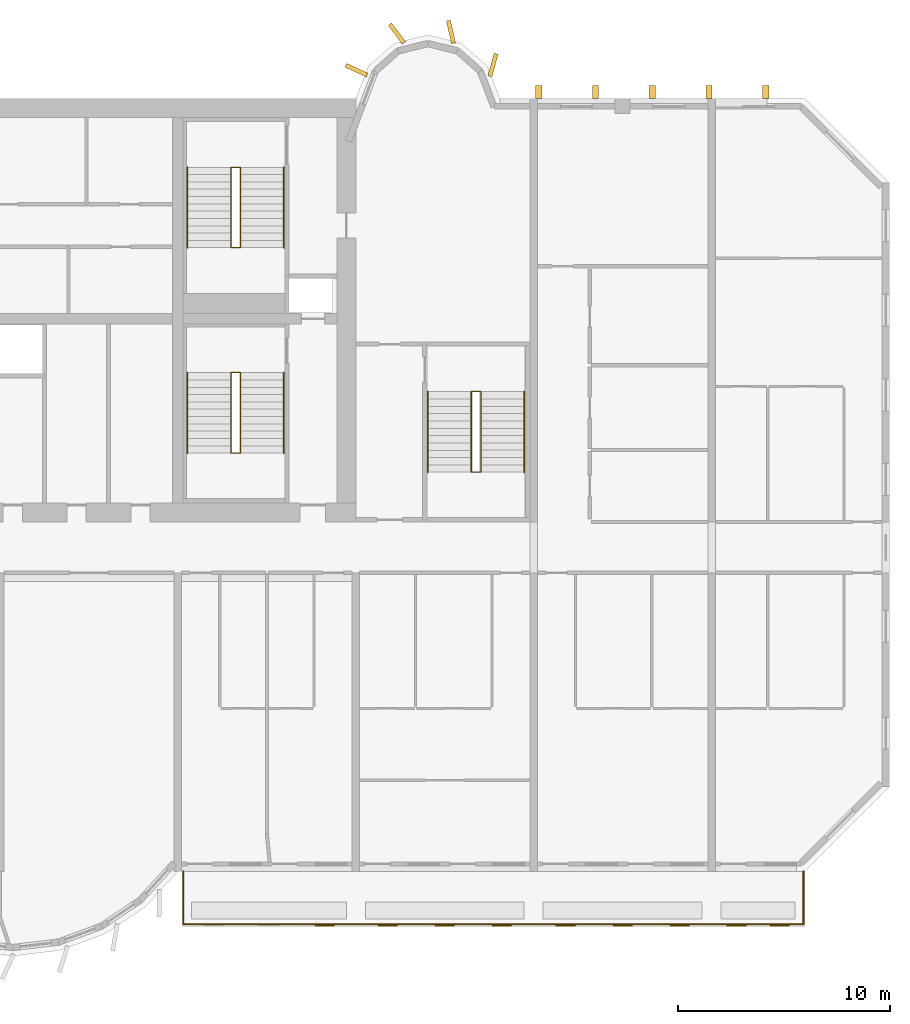
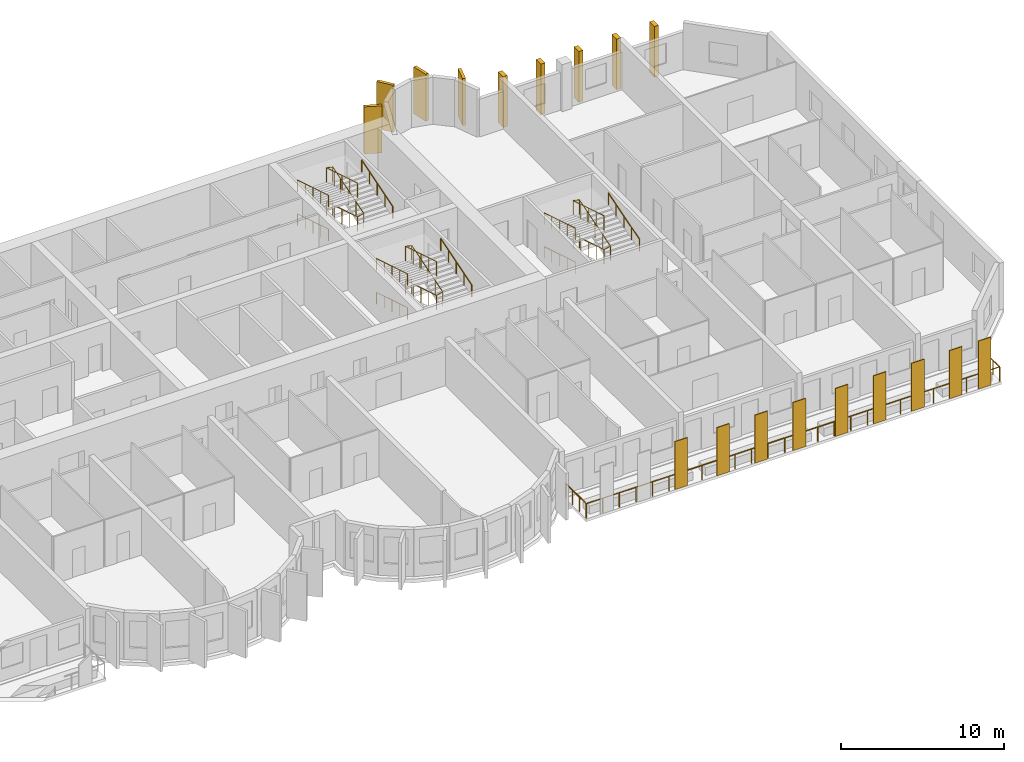
# One storey, part 13 of 14: 18 coverings, 13 railings.
"""IFC4 building model written with IfcOpenShell, lengths in metres."""

from ifc_helpers import new_model, si_unit, direction, frame, origin, origin_2d, place, context, subcontext, project, spatial, rectangle, circle, extrude, source, transform, mapped, material, layer, layer_set, material_profile, profile_set, type_object, element, save


model = new_model("IFC4")

# Units and contexts
model_context = context("Model", 3, precision=1e-05, world=origin(), true_north=direction((0.0, 1.0)))
body_context = subcontext(model_context, "Body", "Model", "MODEL_VIEW")
ifc_project = project(units=[si_unit("LENGTHUNIT", "METRE"), si_unit("AREAUNIT", "SQUARE_METRE"), si_unit("VOLUMEUNIT", "CUBIC_METRE"), si_unit("PLANEANGLEUNIT", "RADIAN"), si_unit("MASSUNIT", "GRAM", prefix="KILO")], contexts=[model_context])

# Site, building, storey
site_placement = place(None, origin())
site = spatial("IfcSite", under=ifc_project, at=site_placement, CompositionType="ELEMENT")
building_placement = place(site_placement, origin())
building = spatial("IfcBuilding", under=site, at=building_placement, Name="Vanashikhar Sky Hotel", CompositionType="ELEMENT")
storey_placement = place(building_placement, frame((0.0, 0.0, 118.0)))
storey = spatial("IfcBuildingStorey", under=building, at=storey_placement, Name="L28", CompositionType="ELEMENT", Elevation=118.0)

# Railing
ifc_material_1 = material(Name="Stainless steel 316", Category="steel")
railing_type_1 = type_object("IfcRailingType", Name="Balcony guard 1100", PredefinedType="GUARDRAIL", material=ifc_material_1)
shared_shape_1 = source(origin(), body_context, "Body", "SweptSolid", [
    extrude(circle(Radius=0.02392578125, at=origin_2d()), frame((0.0, 0.0, 1.076171875), z_axis=(0.0, -1.0, 0.0), x_axis=(1.0, 0.0, 0.0)), (0.0, 0.0, 1.0), 2.5),
    extrude(circle(Radius=0.02392578125, at=origin_2d()), frame((0.0, -2.5, 1.076171875), z_axis=(1.0, 0.0, 0.0), x_axis=(0.0, 1.0, 0.0)), (0.0, 0.0, 1.0), 29.280029296875),
    extrude(circle(Radius=0.02392578125, at=origin_2d()), frame((29.280029296875, -2.5, 1.076171875), z_axis=(0.0, 1.0, 0.0), x_axis=(-1.0, 0.0, 0.0)), (0.0, 0.0, 1.0), 2.5),
    extrude(circle(Radius=0.02099609375, at=origin_2d()), origin(), (0.0, 0.0, 1.0), 1.052001953125),
    extrude(circle(Radius=0.02099609375, at=origin_2d()), frame((0.0, -0.833251953125, 0.0)), (0.0, 0.0, 1.0), 1.052001953125),
    extrude(circle(Radius=0.02099609375, at=origin_2d()), frame((0.0, -1.666748046875, 0.0)), (0.0, 0.0, 1.0), 1.052001953125),
    extrude(circle(Radius=0.02099609375, at=origin_2d()), frame((0.0, -2.5, 0.0)), (0.0, 0.0, 1.0), 1.052001953125),
    extrude(circle(Radius=0.02099609375, at=origin_2d()), frame((1.171142578125, -2.5, 0.0)), (0.0, 0.0, 1.0), 1.052001953125),
    extrude(circle(Radius=0.02099609375, at=origin_2d()), frame((2.34228515625, -2.5, 0.0)), (0.0, 0.0, 1.0), 1.052001953125),
    extrude(circle(Radius=0.02099609375, at=origin_2d()), frame((3.513671875, -2.5, 0.0)), (0.0, 0.0, 1.0), 1.052001953125),
    extrude(circle(Radius=0.02099609375, at=origin_2d()), frame((4.684814453125, -2.5, 0.0)), (0.0, 0.0, 1.0), 1.052001953125),
    extrude(circle(Radius=0.02099609375, at=origin_2d()), frame((5.85595703125, -2.5, 0.0)), (0.0, 0.0, 1.0), 1.052001953125),
    extrude(circle(Radius=0.02099609375, at=origin_2d()), frame((7.027099609375, -2.5, 0.0)), (0.0, 0.0, 1.0), 1.052001953125),
    extrude(circle(Radius=0.02099609375, at=origin_2d()), frame((8.198486328125, -2.5, 0.0)), (0.0, 0.0, 1.0), 1.052001953125),
    extrude(circle(Radius=0.02099609375, at=origin_2d()), frame((9.36962890625, -2.5, 0.0)), (0.0, 0.0, 1.0), 1.052001953125),
    extrude(circle(Radius=0.02099609375, at=origin_2d()), frame((10.540771484375, -2.5, 0.0)), (0.0, 0.0, 1.0), 1.052001953125),
    extrude(circle(Radius=0.02099609375, at=origin_2d()), frame((11.7119140625, -2.5, 0.0)), (0.0, 0.0, 1.0), 1.052001953125),
    extrude(circle(Radius=0.02099609375, at=origin_2d()), frame((12.88330078125, -2.5, 0.0)), (0.0, 0.0, 1.0), 1.052001953125),
    extrude(circle(Radius=0.02099609375, at=origin_2d()), frame((14.054443359375, -2.5, 0.0)), (0.0, 0.0, 1.0), 1.052001953125),
    extrude(circle(Radius=0.02099609375, at=origin_2d()), frame((15.2255859375, -2.5, 0.0)), (0.0, 0.0, 1.0), 1.052001953125),
    extrude(circle(Radius=0.02099609375, at=origin_2d()), frame((16.396728515625, -2.5, 0.0)), (0.0, 0.0, 1.0), 1.052001953125),
    extrude(circle(Radius=0.02099609375, at=origin_2d()), frame((17.568115234375, -2.5, 0.0)), (0.0, 0.0, 1.0), 1.052001953125),
    extrude(circle(Radius=0.02099609375, at=origin_2d()), frame((18.7392578125, -2.5, 0.0)), (0.0, 0.0, 1.0), 1.052001953125),
    extrude(circle(Radius=0.02099609375, at=origin_2d()), frame((19.910400390625, -2.5, 0.0)), (0.0, 0.0, 1.0), 1.052001953125),
    extrude(circle(Radius=0.02099609375, at=origin_2d()), frame((21.08154296875, -2.5, 0.0)), (0.0, 0.0, 1.0), 1.052001953125),
    extrude(circle(Radius=0.02099609375, at=origin_2d()), frame((22.2529296875, -2.5, 0.0)), (0.0, 0.0, 1.0), 1.052001953125),
    extrude(circle(Radius=0.02099609375, at=origin_2d()), frame((23.424072265625, -2.5, 0.0)), (0.0, 0.0, 1.0), 1.052001953125),
    extrude(circle(Radius=0.02099609375, at=origin_2d()), frame((24.59521484375, -2.5, 0.0)), (0.0, 0.0, 1.0), 1.052001953125),
    extrude(circle(Radius=0.02099609375, at=origin_2d()), frame((25.766357421875, -2.5, 0.0)), (0.0, 0.0, 1.0), 1.052001953125),
    extrude(circle(Radius=0.02099609375, at=origin_2d()), frame((26.937744140625, -2.5, 0.0)), (0.0, 0.0, 1.0), 1.052001953125),
    extrude(circle(Radius=0.02099609375, at=origin_2d()), frame((28.10888671875, -2.5, 0.0)), (0.0, 0.0, 1.0), 1.052001953125),
    extrude(circle(Radius=0.02099609375, at=origin_2d()), frame((29.280029296875, -2.5, 0.0)), (0.0, 0.0, 1.0), 1.052001953125),
    extrude(circle(Radius=0.02099609375, at=origin_2d()), frame((29.280029296875, -1.666748046875, 0.0)), (0.0, 0.0, 1.0), 1.052001953125),
    extrude(circle(Radius=0.02099609375, at=origin_2d()), frame((29.280029296875, -0.833251953125, 0.0)), (0.0, 0.0, 1.0), 1.052001953125),
    extrude(circle(Radius=0.02099609375, at=origin_2d()), frame((29.280029296875, 0.0, 0.0)), (0.0, 0.0, 1.0), 1.052001953125),
])
railing_1_placement = place(storey_placement, frame((67.4599609375, 5.5, -0.050048828125)))
element("IfcRailing", 1, at=railing_1_placement, inside=storey, type_object=railing_type_1, Name="Balcony guard", PredefinedType="GUARDRAIL", context=body_context, shape_type="MappedRepresentation", body=[
    mapped(shared_shape_1, transform((0.0, 0.0, 0.0), scale=1.0)),
])

# Coverings
ifc_material_2 = material(Name="Terracotta", Category="masonry")
ifc_layer = layer(ifc_material_2, 0.06005859375)
ifc_layer_set = layer_set([ifc_layer], Name="Terracotta baguette screen")
covering_type_1 = type_object("IfcCoveringType", Name="Terracotta baguette screen", PredefinedType="CLADDING", material=ifc_layer_set)
shared_shape_2 = source(origin(), body_context, "Body", "SweptSolid", [
    extrude(rectangle(XDim=0.89990234375, YDim=0.06005859375, at=origin_2d()), origin(), (0.0, 0.0, 1.0), 3.60009765625),
])
for number, where, z_axis, x_axis, name in (
    (2, (74.13330078125, 2.929931640625, -0.050048828125), (0.0, 0.0, 1.0), (1.0, 0.0, 0.0), "Terracotta screen"),
    (3, (77.10009765625, 2.929931640625, -0.050048828125), (0.0, 0.0, 1.0), (1.0, 0.0, 0.0), "Terracotta screen"),
    (4, (79.800048828125, 2.929931640625, -0.050048828125), (0.0, 0.0, 1.0), (1.0, 0.0, 0.0), "Terracotta screen"),
    (5, (82.5, 2.929931640625, -0.050048828125), (0.0, 0.0, 1.0), (1.0, 0.0, 0.0), "Terracotta screen"),
    (6, (85.5, 2.929931640625, -0.050048828125), (0.0, 0.0, 1.0), (1.0, 0.0, 0.0), "Terracotta screen"),
    (7, (88.199951171875, 2.929931640625, -0.050048828125), (0.0, 0.0, 1.0), (1.0, 0.0, 0.0), "Terracotta screen"),
    (8, (90.89990234375, 2.929931640625, -0.050048828125), (0.0, 0.0, 1.0), (1.0, 0.0, 0.0), "Terracotta screen"),
    (9, (93.574951171875, 2.929931640625, -0.050048828125), (0.0, 0.0, 1.0), (1.0, 0.0, 0.0), "Terracotta screen"),
    (10, (95.625, 2.929931640625, -0.050048828125), (0.0, 0.0, 1.0), (1.0, 0.0, 0.0), "Terracotta screen"),
):
    element("IfcCovering", number, at=place(storey_placement, frame(where, z_axis=z_axis, x_axis=x_axis)), inside=storey, type_object=covering_type_1, Name=name, PredefinedType="CLADDING", context=body_context, shape_type="MappedRepresentation", body=[
        mapped(shared_shape_2, transform((0.0, 0.0, 0.0), scale=1.0)),
    ])
ifc_material_3 = material(Name="Concrete M60 dark", Category="concrete")
ifc_material_profile_1 = material_profile(ifc_material_3, rectangle(XDim=1.10009765625, YDim=0.199951171875, at=origin_2d()))
ifc_profile_set_1 = profile_set([ifc_material_profile_1], Name="Rear lobe fin 1100 x 200")
covering_type_2 = type_object("IfcCoveringType", Name="Rear lobe fin 1100 x 200", PredefinedType="CLADDING", material=ifc_profile_set_1)
shared_shape_3 = source(origin(), body_context, "Body", "SweptSolid", [
    extrude(rectangle(XDim=1.10009765625, YDim=0.199951171875, at=origin_2d()), origin(), (0.0, 0.0, 1.0), 3.52001953125),
])
for number, where, z_axis, x_axis, name in (
    (11, (75.63037109375, 43.33447265625, 0.0), (0.0, 0.0, 1.0), (-0.908004291068, 0.418960866193, 0.0), "Fin R2-1"),
    (12, (77.5380859375, 45.06640625, 0.0), (0.0, 0.0, 1.0), (-0.602065892195, 0.798446404874, 0.0), "Fin R2-2"),
    (13, (80.08984375, 45.1455078125, 0.0), (0.0, 0.0, 1.0), (-0.224644935864, 0.974440687159, 0.0), "Fin R2-3"),
    (14, (82.0791015625, 43.580078125, 0.0), (0.0, 0.0, 1.0), (0.262711264409, 0.964874495234, 0.0), "Fin R2-4"),
):
    element("IfcCovering", number, at=place(storey_placement, frame(where, z_axis=z_axis, x_axis=x_axis)), inside=storey, type_object=covering_type_2, Name=name, PredefinedType="CLADDING", context=body_context, shape_type="MappedRepresentation", body=[
        mapped(shared_shape_3, transform((0.0, 0.0, 0.0), scale=1.0)),
    ])
ifc_material_profile_2 = material_profile(ifc_material_3, rectangle(XDim=0.60009765625, YDim=0.300048828125, at=origin_2d()))
ifc_profile_set_2 = profile_set([ifc_material_profile_2], Name="Rear rib 600 x 300")
covering_type_3 = type_object("IfcCoveringType", Name="Rear rib 600 x 300", PredefinedType="CLADDING", material=ifc_profile_set_2)
shared_shape_4 = source(origin(), body_context, "Body", "SweptSolid", [
    extrude(rectangle(XDim=0.60009765625, YDim=0.300048828125, at=origin_2d()), origin(), (0.0, 0.0, 1.0), 3.800048828125),
])
for number, where, z_axis, x_axis, name in (
    (15, (84.239990234375, 42.300048828125, -0.280029296875), (0.0, 0.0, 1.0), (0.0, 1.0, 0.0), "Rear rib"),
    (16, (86.919921875, 42.300048828125, -0.280029296875), (0.0, 0.0, 1.0), (0.0, 1.0, 0.0), "Rear rib"),
    (17, (89.60009765625, 42.300048828125, -0.280029296875), (0.0, 0.0, 1.0), (0.0, 1.0, 0.0), "Rear rib"),
    (18, (92.280029296875, 42.300048828125, -0.280029296875), (0.0, 0.0, 1.0), (0.0, 1.0, 0.0), "Rear rib"),
    (19, (94.9599609375, 42.300048828125, -0.280029296875), (0.0, 0.0, 1.0), (0.0, 1.0, 0.0), "Rear rib"),
):
    element("IfcCovering", number, at=place(storey_placement, frame(where, z_axis=z_axis, x_axis=x_axis)), inside=storey, type_object=covering_type_3, Name=name, PredefinedType="CLADDING", context=body_context, shape_type="MappedRepresentation", body=[
        mapped(shared_shape_4, transform((0.0, 0.0, 0.0), scale=1.0)),
    ])

# Railings
ifc_material_4 = material(Name="Steel S355", Category="steel")
railing_type_2 = type_object("IfcRailingType", Name="Stair handrail 900", PredefinedType="HANDRAIL", material=ifc_material_4)
shared_shape_5 = source(origin(), body_context, "Body", "SweptSolid", [
    extrude(circle(Radius=0.02392578125, at=origin_2d()), frame((0.0, 0.0, 0.8759765625), z_axis=(0.0, 0.95635109408, 0.292220096591), x_axis=(-1.0, 0.0, 0.0)), (0.0, 0.0, 1.0), 3.973388671875),
    extrude(circle(Radius=0.02099609375, at=origin_2d()), origin(), (0.0, 0.0, 1.0), 0.851806640625),
    extrude(circle(Radius=0.02099609375, at=origin_2d()), frame((0.0, 0.949951171875, 0.290283203125)), (0.0, 0.0, 1.0), 0.851806640625),
    extrude(circle(Radius=0.02099609375, at=origin_2d()), frame((0.0, 1.89990234375, 0.58056640625)), (0.0, 0.0, 1.0), 0.851806640625),
    extrude(circle(Radius=0.02099609375, at=origin_2d()), frame((0.0, 2.85009765625, 0.870849609375)), (0.0, 0.0, 1.0), 0.851806640625),
    extrude(circle(Radius=0.02099609375, at=origin_2d()), frame((0.0, 3.800048828125, 1.1611328125)), (0.0, 0.0, 1.0), 0.851806640625),
])
for number, where, name in (
    (20, (72.199951171875, 25.25, 1.372314453125), "Exit stair 2 handrail"),
    (21, (72.199951171875, 34.949951171875, 1.372314453125), "Exit stair 6 handrail"),
):
    element("IfcRailing", number, at=place(storey_placement, frame(where)), inside=storey, type_object=railing_type_2, Name=name, PredefinedType="HANDRAIL", context=body_context, shape_type="MappedRepresentation", body=[
        mapped(shared_shape_5, transform((0.0, 0.0, 0.0), scale=1.0)),
    ])
shared_shape_6 = source(origin(), body_context, "Body", "SweptSolid", [
    extrude(circle(Radius=0.02392578125, at=origin_2d()), frame((0.0, 0.0, 0.8759765625), z_axis=(0.0, -0.95635109408, 0.292220096591), x_axis=(1.0, 0.0, 0.0)), (0.0, 0.0, 1.0), 3.973388671875),
    extrude(circle(Radius=0.02099609375, at=origin_2d()), origin(), (0.0, 0.0, 1.0), 0.851806640625),
    extrude(circle(Radius=0.02099609375, at=origin_2d()), frame((0.0, -0.949951171875, 0.290283203125)), (0.0, 0.0, 1.0), 0.851806640625),
    extrude(circle(Radius=0.02099609375, at=origin_2d()), frame((0.0, -1.89990234375, 0.58056640625)), (0.0, 0.0, 1.0), 0.851806640625),
    extrude(circle(Radius=0.02099609375, at=origin_2d()), frame((0.0, -2.85009765625, 0.870849609375)), (0.0, 0.0, 1.0), 0.851806640625),
    extrude(circle(Radius=0.02099609375, at=origin_2d()), frame((0.0, -3.800048828125, 1.1611328125)), (0.0, 0.0, 1.0), 0.851806640625),
])
for number, where, name in (
    (22, (67.64990234375, 29.050048828125, 0.10546875), "Exit stair 2 handrail"),
    (23, (67.64990234375, 29.050048828125, 2.638916015625), "Exit stair 2 handrail"),
    (24, (67.64990234375, 38.75, 0.10546875), "Exit stair 6 handrail"),
    (25, (67.64990234375, 38.75, 2.638916015625), "Exit stair 6 handrail"),
):
    element("IfcRailing", number, at=place(storey_placement, frame(where)), inside=storey, type_object=railing_type_2, Name=name, PredefinedType="HANDRAIL", context=body_context, shape_type="MappedRepresentation", body=[
        mapped(shared_shape_6, transform((0.0, 0.0, 0.0), scale=1.0)),
    ])
railing_type_3 = type_object("IfcRailingType", Name="Stair guard 1100", PredefinedType="GUARDRAIL", material=ifc_material_4)
shared_shape_7 = source(origin(), body_context, "Body", "SweptSolid", [
    extrude(circle(Radius=0.02392578125, at=origin_2d()), frame((0.0, 0.0, 1.076171875), z_axis=(-0.973610808694, 0.0, 0.228214796178), x_axis=(0.0, -1.0, 0.0)), (0.0, 0.0, 1.0), 0.462158203125),
    extrude(circle(Radius=0.02392578125, at=origin_2d()), frame((-0.449951171875, 0.0, 1.181640625), z_axis=(0.0, -0.95635109408, 0.292220096591), x_axis=(1.0, 0.0, 0.0)), (0.0, 0.0, 1.0), 3.973388671875),
    extrude(circle(Radius=0.02392578125, at=origin_2d()), frame((-0.449951171875, -3.800048828125, 2.3427734375), z_axis=(0.973493315427, 0.0, 0.228715466945), x_axis=(0.0, 1.0, 0.0)), (0.0, 0.0, 1.0), 0.462158203125),
    extrude(circle(Radius=0.02392578125, at=origin_2d()), frame((0.0, -3.800048828125, 2.4482421875), z_axis=(0.0, 0.95635109408, 0.292220096591), x_axis=(-1.0, 0.0, 0.0)), (0.0, 0.0, 1.0), 3.973388671875),
    extrude(circle(Radius=0.02392578125, at=origin_2d()), frame((0.0, 0.0, 3.609375), z_axis=(-0.973610808694, 0.0, 0.228214796178), x_axis=(0.0, -1.0, 0.0)), (0.0, 0.0, 1.0), 0.462158203125),
    extrude(circle(Radius=0.02392578125, at=origin_2d()), frame((-0.449951171875, 0.0, 3.71484375), z_axis=(0.0, -0.95635109408, 0.292220096591), x_axis=(1.0, 0.0, 0.0)), (0.0, 0.0, 1.0), 3.973388671875),
    extrude(circle(Radius=0.02099609375, at=origin_2d()), origin(), (0.0, 0.0, 1.0), 1.052001953125),
    extrude(circle(Radius=0.02099609375, at=origin_2d()), frame((-0.449951171875, 0.0, 0.10546875)), (0.0, 0.0, 1.0), 1.052001953125),
    extrude(circle(Radius=0.02099609375, at=origin_2d()), frame((-0.449951171875, -0.949951171875, 0.395751953125)), (0.0, 0.0, 1.0), 1.052001953125),
    extrude(circle(Radius=0.02099609375, at=origin_2d()), frame((-0.449951171875, -1.89990234375, 0.68603515625)), (0.0, 0.0, 1.0), 1.052001953125),
    extrude(circle(Radius=0.02099609375, at=origin_2d()), frame((-0.449951171875, -2.85009765625, 0.976318359375)), (0.0, 0.0, 1.0), 1.052001953125),
    extrude(circle(Radius=0.02099609375, at=origin_2d()), frame((-0.449951171875, -3.800048828125, 1.2666015625)), (0.0, 0.0, 1.0), 1.052001953125),
    extrude(circle(Radius=0.02099609375, at=origin_2d()), frame((0.0, -3.800048828125, 1.372314453125)), (0.0, 0.0, 1.0), 1.052001953125),
    extrude(circle(Radius=0.02099609375, at=origin_2d()), frame((0.0, -2.85009765625, 1.66259765625)), (0.0, 0.0, 1.0), 1.052001953125),
    extrude(circle(Radius=0.02099609375, at=origin_2d()), frame((0.0, -1.89990234375, 1.952880859375)), (0.0, 0.0, 1.0), 1.052001953125),
    extrude(circle(Radius=0.02099609375, at=origin_2d()), frame((0.0, -0.949951171875, 2.2431640625)), (0.0, 0.0, 1.0), 1.052001953125),
    extrude(circle(Radius=0.02099609375, at=origin_2d()), frame((0.0, 0.0, 2.533447265625)), (0.0, 0.0, 1.0), 1.052001953125),
    extrude(circle(Radius=0.02099609375, at=origin_2d()), frame((-0.449951171875, 0.0, 2.638916015625)), (0.0, 0.0, 1.0), 1.052001953125),
    extrude(circle(Radius=0.02099609375, at=origin_2d()), frame((-0.449951171875, -0.949951171875, 2.92919921875)), (0.0, 0.0, 1.0), 1.052001953125),
    extrude(circle(Radius=0.02099609375, at=origin_2d()), frame((-0.449951171875, -1.89990234375, 3.219482421875)), (0.0, 0.0, 1.0), 1.052001953125),
    extrude(circle(Radius=0.02099609375, at=origin_2d()), frame((-0.449951171875, -2.85009765625, 3.509765625)), (0.0, 0.0, 1.0), 1.052001953125),
    extrude(circle(Radius=0.02099609375, at=origin_2d()), frame((-0.449951171875, -3.800048828125, 3.800048828125)), (0.0, 0.0, 1.0), 1.052001953125),
])
for number, where, name in (
    (26, (70.14990234375, 29.050048828125, 0.0), "Exit stair 2 guard"),
    (27, (70.14990234375, 38.75, 0.0), "Exit stair 6 guard"),
):
    element("IfcRailing", number, at=place(storey_placement, frame(where)), inside=storey, type_object=railing_type_3, Name=name, PredefinedType="GUARDRAIL", context=body_context, shape_type="MappedRepresentation", body=[
        mapped(shared_shape_7, transform((0.0, 0.0, 0.0), scale=1.0)),
    ])
shared_shape_8 = source(origin(), body_context, "Body", "SweptSolid", [
    extrude(circle(Radius=0.02392578125, at=origin_2d()), frame((0.0, 0.0, 0.8759765625), z_axis=(0.0, 0.956345846891, 0.292237268557), x_axis=(-1.0, 0.0, 0.0)), (0.0, 0.0, 1.0), 3.97314453125),
    extrude(circle(Radius=0.02099609375, at=origin_2d()), origin(), (0.0, 0.0, 1.0), 0.851806640625),
    extrude(circle(Radius=0.02099609375, at=origin_2d()), frame((0.0, 0.949951171875, 0.290283203125)), (0.0, 0.0, 1.0), 0.851806640625),
    extrude(circle(Radius=0.02099609375, at=origin_2d()), frame((0.0, 1.89990234375, 0.58056640625)), (0.0, 0.0, 1.0), 0.851806640625),
    extrude(circle(Radius=0.02099609375, at=origin_2d()), frame((0.0, 2.849853515625, 0.870849609375)), (0.0, 0.0, 1.0), 0.851806640625),
    extrude(circle(Radius=0.02099609375, at=origin_2d()), frame((0.0, 3.7998046875, 1.1611328125)), (0.0, 0.0, 1.0), 0.851806640625),
])
railing_2_placement = place(storey_placement, frame((83.550048828125, 24.35009765625, 1.372314453125)))
element("IfcRailing", 28, at=railing_2_placement, inside=storey, type_object=railing_type_2, Name="Exit stair 4 handrail", PredefinedType="HANDRAIL", context=body_context, shape_type="MappedRepresentation", body=[
    mapped(shared_shape_8, transform((0.0, 0.0, 0.0), scale=1.0)),
])
shared_shape_9 = source(origin(), body_context, "Body", "SweptSolid", [
    extrude(circle(Radius=0.02392578125, at=origin_2d()), frame((0.0, 0.0, 0.8759765625), z_axis=(0.0, -0.956345846891, 0.292237268557), x_axis=(1.0, 0.0, 0.0)), (0.0, 0.0, 1.0), 3.97314453125),
    extrude(circle(Radius=0.02099609375, at=origin_2d()), origin(), (0.0, 0.0, 1.0), 0.851806640625),
    extrude(circle(Radius=0.02099609375, at=origin_2d()), frame((0.0, -0.949951171875, 0.290283203125)), (0.0, 0.0, 1.0), 0.851806640625),
    extrude(circle(Radius=0.02099609375, at=origin_2d()), frame((0.0, -1.89990234375, 0.58056640625)), (0.0, 0.0, 1.0), 0.851806640625),
    extrude(circle(Radius=0.02099609375, at=origin_2d()), frame((0.0, -2.849853515625, 0.870849609375)), (0.0, 0.0, 1.0), 0.851806640625),
    extrude(circle(Radius=0.02099609375, at=origin_2d()), frame((0.0, -3.7998046875, 1.1611328125)), (0.0, 0.0, 1.0), 0.851806640625),
])
for number, where, name in (
    (29, (79.0, 28.14990234375, 0.10546875), "Exit stair 4 handrail"),
    (30, (79.0, 28.14990234375, 2.638916015625), "Exit stair 4 handrail"),
):
    element("IfcRailing", number, at=place(storey_placement, frame(where)), inside=storey, type_object=railing_type_2, Name=name, PredefinedType="HANDRAIL", context=body_context, shape_type="MappedRepresentation", body=[
        mapped(shared_shape_9, transform((0.0, 0.0, 0.0), scale=1.0)),
    ])
shared_shape_10 = source(origin(), body_context, "Body", "SweptSolid", [
    extrude(circle(Radius=0.02392578125, at=origin_2d()), frame((0.0, 0.0, 1.076171875), z_axis=(-0.973610808694, 0.0, 0.228214796178), x_axis=(0.0, -1.0, 0.0)), (0.0, 0.0, 1.0), 0.462158203125),
    extrude(circle(Radius=0.02392578125, at=origin_2d()), frame((-0.449951171875, 0.0, 1.181640625), z_axis=(0.0, -0.956345846891, 0.292237268557), x_axis=(1.0, 0.0, 0.0)), (0.0, 0.0, 1.0), 3.97314453125),
    extrude(circle(Radius=0.02392578125, at=origin_2d()), frame((-0.449951171875, -3.7998046875, 2.3427734375), z_axis=(0.973493315427, 0.0, 0.228715466945), x_axis=(0.0, 1.0, 0.0)), (0.0, 0.0, 1.0), 0.462158203125),
    extrude(circle(Radius=0.02392578125, at=origin_2d()), frame((0.0, -3.7998046875, 2.4482421875), z_axis=(0.0, 0.956345846891, 0.292237268557), x_axis=(-1.0, 0.0, 0.0)), (0.0, 0.0, 1.0), 3.97314453125),
    extrude(circle(Radius=0.02392578125, at=origin_2d()), frame((0.0, 0.0, 3.609375), z_axis=(-0.973610808694, 0.0, 0.228214796178), x_axis=(0.0, -1.0, 0.0)), (0.0, 0.0, 1.0), 0.462158203125),
    extrude(circle(Radius=0.02392578125, at=origin_2d()), frame((-0.449951171875, 0.0, 3.71484375), z_axis=(0.0, -0.956345846891, 0.292237268557), x_axis=(1.0, 0.0, 0.0)), (0.0, 0.0, 1.0), 3.97314453125),
    extrude(circle(Radius=0.02099609375, at=origin_2d()), origin(), (0.0, 0.0, 1.0), 1.052001953125),
    extrude(circle(Radius=0.02099609375, at=origin_2d()), frame((-0.449951171875, 0.0, 0.10546875)), (0.0, 0.0, 1.0), 1.052001953125),
    extrude(circle(Radius=0.02099609375, at=origin_2d()), frame((-0.449951171875, -0.949951171875, 0.395751953125)), (0.0, 0.0, 1.0), 1.052001953125),
    extrude(circle(Radius=0.02099609375, at=origin_2d()), frame((-0.449951171875, -1.89990234375, 0.68603515625)), (0.0, 0.0, 1.0), 1.052001953125),
    extrude(circle(Radius=0.02099609375, at=origin_2d()), frame((-0.449951171875, -2.849853515625, 0.976318359375)), (0.0, 0.0, 1.0), 1.052001953125),
    extrude(circle(Radius=0.02099609375, at=origin_2d()), frame((-0.449951171875, -3.7998046875, 1.2666015625)), (0.0, 0.0, 1.0), 1.052001953125),
    extrude(circle(Radius=0.02099609375, at=origin_2d()), frame((0.0, -3.7998046875, 1.372314453125)), (0.0, 0.0, 1.0), 1.052001953125),
    extrude(circle(Radius=0.02099609375, at=origin_2d()), frame((0.0, -2.849853515625, 1.66259765625)), (0.0, 0.0, 1.0), 1.052001953125),
    extrude(circle(Radius=0.02099609375, at=origin_2d()), frame((0.0, -1.89990234375, 1.952880859375)), (0.0, 0.0, 1.0), 1.052001953125),
    extrude(circle(Radius=0.02099609375, at=origin_2d()), frame((0.0, -0.949951171875, 2.2431640625)), (0.0, 0.0, 1.0), 1.052001953125),
    extrude(circle(Radius=0.02099609375, at=origin_2d()), frame((0.0, 0.0, 2.533447265625)), (0.0, 0.0, 1.0), 1.052001953125),
    extrude(circle(Radius=0.02099609375, at=origin_2d()), frame((-0.449951171875, 0.0, 2.638916015625)), (0.0, 0.0, 1.0), 1.052001953125),
    extrude(circle(Radius=0.02099609375, at=origin_2d()), frame((-0.449951171875, -0.949951171875, 2.92919921875)), (0.0, 0.0, 1.0), 1.052001953125),
    extrude(circle(Radius=0.02099609375, at=origin_2d()), frame((-0.449951171875, -1.89990234375, 3.219482421875)), (0.0, 0.0, 1.0), 1.052001953125),
    extrude(circle(Radius=0.02099609375, at=origin_2d()), frame((-0.449951171875, -2.849853515625, 3.509765625)), (0.0, 0.0, 1.0), 1.052001953125),
    extrude(circle(Radius=0.02099609375, at=origin_2d()), frame((-0.449951171875, -3.7998046875, 3.800048828125)), (0.0, 0.0, 1.0), 1.052001953125),
])
railing_3_placement = place(storey_placement, frame((81.5, 28.14990234375, 0.0)))
element("IfcRailing", 31, at=railing_3_placement, inside=storey, type_object=railing_type_3, Name="Exit stair 4 guard", PredefinedType="GUARDRAIL", context=body_context, shape_type="MappedRepresentation", body=[
    mapped(shared_shape_10, transform((0.0, 0.0, 0.0), scale=1.0)),
])

save(model, "model.ifc")
